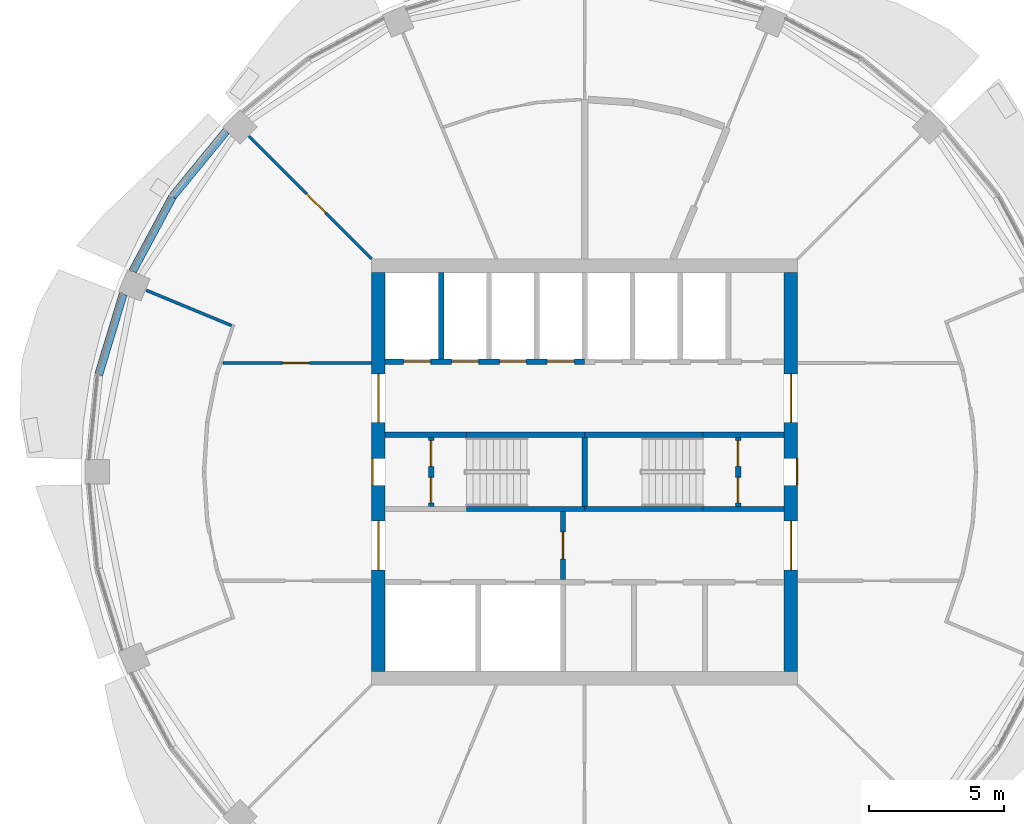
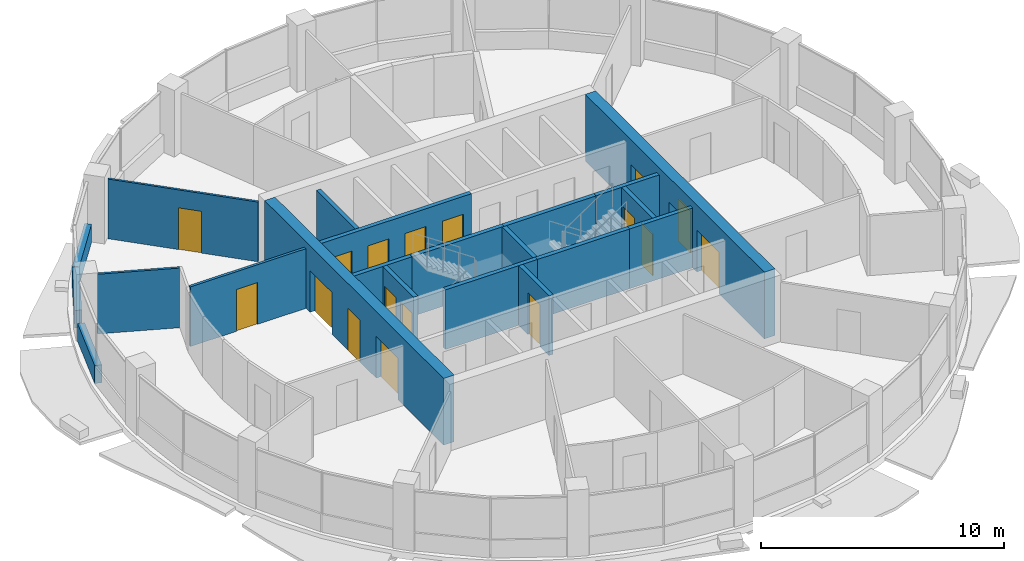
# One storey, part 9 of 15: 21 walls, 17 doors, 17 openings.
"""IFC4 building model written with IfcOpenShell, lengths in metres."""

from ifc_helpers import new_model, si_unit, direction, frame, frame_2d, origin, place, context, subcontext, project, spatial, rectangle, extrude, material, layer, layer_set, type_object, element, fill, save


model = new_model("IFC4")

# Units and contexts
model_context = context("Model", 3, precision=1e-05, world=origin(), true_north=direction((0.0, 1.0)))
body_context = subcontext(model_context, "Body", "Model", "MODEL_VIEW")
ifc_project = project(units=[si_unit("LENGTHUNIT", "METRE"), si_unit("AREAUNIT", "SQUARE_METRE"), si_unit("VOLUMEUNIT", "CUBIC_METRE"), si_unit("PLANEANGLEUNIT", "RADIAN"), si_unit("MASSUNIT", "GRAM", prefix="KILO")], contexts=[model_context])

# Site, building, storey
site_placement = place(None, origin())
site = spatial("IfcSite", under=ifc_project, at=site_placement, CompositionType="ELEMENT")
building_placement = place(site_placement, origin())
building = spatial("IfcBuilding", under=site, at=building_placement, Name="Polderwave Tower", CompositionType="ELEMENT")
storey_placement = place(building_placement, frame((0.0, 0.0, 177.60009765625)))
storey = spatial("IfcBuildingStorey", under=building, at=storey_placement, Name="L47", CompositionType="ELEMENT", Elevation=177.60009765625)

# Wall, openings, doors
ifc_material_1 = material(Name="Concrete C60/75", Category="concrete")
ifc_layer_1 = layer(ifc_material_1, 0.5)
ifc_layer_set_1 = layer_set([ifc_layer_1], Name="CORE WALL 500 C60/75")
wall_type_1 = type_object("IfcWallType", Name="CORE WALL 500 C60/75", PredefinedType="SHEAR", material=ifc_layer_set_1)
wall_1_placement = place(storey_placement, frame((-7.6240234375, -7.3740234375, 0.0), z_axis=(0.0, 0.0, 1.0), x_axis=(0.0, 1.0, 0.0)))
wall_1 = element("IfcWall", 1, at=wall_1_placement, inside=storey, type_object=wall_type_1, Name="ST-CORE-L47-W", PredefinedType="SHEAR", context=body_context, shape_type="SweptSolid", body=[
    extrude(rectangle(XDim=14.748046875, YDim=0.5, at=frame_2d((7.3740234375, 0.0))), origin(), (0.0, 0.0, 1.0), 3.349853515625),
])
opening_1_placement = place(wall_1_placement, frame((6.8740234375, 0.0, 0.0)))
opening_1 = element("IfcOpeningElement", 2, at=opening_1_placement, cuts=wall_1, Name="Opening L47-D19", PredefinedType="OPENING", context=body_context, shape_type="SweptSolid", body=[
    extrude(rectangle(XDim=1.0, YDim=2.10009765625, at=frame_2d((0.5, 1.050048828125))), frame((0.0, 0.260009765625, 0.0), z_axis=(0.0, -1.0, 0.0), x_axis=(1.0, 0.0, 0.0)), (0.0, 0.0, 1.0), 0.52001953125),
])
opening_2_placement = place(wall_1_placement, frame((3.74951171875, 0.0, 0.0)))
opening_2 = element("IfcOpeningElement", 3, at=opening_2_placement, cuts=wall_1, Name="Opening L47-D20", PredefinedType="OPENING", context=body_context, shape_type="SweptSolid", body=[
    extrude(rectangle(XDim=1.800048828125, YDim=2.10009765625, at=frame_2d((0.89990234375, 1.050048828125))), frame((0.0, 0.260009765625, 0.0), z_axis=(0.0, -1.0, 0.0), x_axis=(1.0, 0.0, 0.0)), (0.0, 0.0, 1.0), 0.52001953125),
])
opening_3_placement = place(wall_1_placement, frame((9.198486328125, 0.0, 0.0)))
opening_3 = element("IfcOpeningElement", 4, at=opening_3_placement, cuts=wall_1, Name="Opening L47-D21", PredefinedType="OPENING", context=body_context, shape_type="SweptSolid", body=[
    extrude(rectangle(XDim=1.800048828125, YDim=2.10009765625, at=frame_2d((0.89990234375, 1.050048828125))), frame((0.0, 0.260009765625, 0.0), z_axis=(0.0, -1.0, 0.0), x_axis=(1.0, 0.0, 0.0)), (0.0, 0.0, 1.0), 0.52001953125),
])
ifc_material_2 = material(Name="Steel fire door", Category="steel")
door_type_1 = type_object("IfcDoorType", Name="Lobby entry door pair 1800", OperationType="DOUBLE_DOOR_SINGLE_SWING", PredefinedType="DOOR", material=ifc_material_2)
door_1_placement = place(opening_2_placement, origin())
door_1 = element("IfcDoor", 5, at=door_1_placement, inside=storey, type_object=door_type_1, Name="Fire-fighting lobby entry door", OperationType="DOUBLE_DOOR_SINGLE_SWING", OverallHeight=2.10009765625, OverallWidth=1.800048828125, PredefinedType="DOOR", context=body_context, shape_type="SweptSolid", body=[
    extrude(rectangle(XDim=1.800048828125, YDim=2.10009765625, at=frame_2d((0.89990234375, 1.050048828125))), frame((0.0, 0.02490234375, 0.0), z_axis=(0.0, -1.0, 0.0), x_axis=(1.0, 0.0, 0.0)), (0.0, 0.0, 1.0), 0.050048828125),
])
fill(opening_2, door_1)
door_2_placement = place(opening_3_placement, origin())
door_2 = element("IfcDoor", 6, at=door_2_placement, inside=storey, type_object=door_type_1, Name="North lobby entry door", OperationType="DOUBLE_DOOR_SINGLE_SWING", OverallHeight=2.10009765625, OverallWidth=1.800048828125, PredefinedType="DOOR", context=body_context, shape_type="SweptSolid", body=[
    extrude(rectangle(XDim=1.800048828125, YDim=2.10009765625, at=frame_2d((0.89990234375, 1.050048828125))), frame((0.0, 0.02490234375, 0.0), z_axis=(0.0, -1.0, 0.0), x_axis=(1.0, 0.0, 0.0)), (0.0, 0.0, 1.0), 0.050048828125),
])
fill(opening_3, door_2)
door_type_2 = type_object("IfcDoorType", Name="Stair door 1000", OperationType="NOTDEFINED", PredefinedType="DOOR", material=ifc_material_2)
door_3_placement = place(opening_1_placement, origin())
door_3 = element("IfcDoor", 7, at=door_3_placement, inside=storey, type_object=door_type_2, Name="Stair A entry door", OperationType="SINGLE_SWING_RIGHT", OverallHeight=2.10009765625, OverallWidth=1.0, PredefinedType="DOOR", context=body_context, shape_type="SweptSolid", body=[
    extrude(rectangle(XDim=1.0, YDim=2.10009765625, at=frame_2d((0.5, 1.050048828125))), frame((0.0, 0.25, 0.0), z_axis=(0.0, -1.0, 0.0), x_axis=(1.0, 0.0, 0.0)), (0.0, 0.0, 1.0), 0.050048828125),
])
fill(opening_1, door_3)

wall_2_placement = place(storey_placement, frame((7.6240234375, -7.3740234375, 0.0), z_axis=(0.0, 0.0, 1.0), x_axis=(0.0, 1.0, 0.0)))
wall_2 = element("IfcWall", 8, at=wall_2_placement, inside=storey, type_object=wall_type_1, Name="ST-CORE-L47-E", PredefinedType="SHEAR", context=body_context, shape_type="SweptSolid", body=[
    extrude(rectangle(XDim=14.748046875, YDim=0.5, at=frame_2d((7.3740234375, 0.0))), origin(), (0.0, 0.0, 1.0), 3.349853515625),
])
opening_4_placement = place(wall_2_placement, frame((6.8740234375, 0.0, 0.0)))
opening_4 = element("IfcOpeningElement", 9, at=opening_4_placement, cuts=wall_2, Name="Opening L47-D22", PredefinedType="OPENING", context=body_context, shape_type="SweptSolid", body=[
    extrude(rectangle(XDim=1.0, YDim=2.10009765625, at=frame_2d((0.5, 1.050048828125))), frame((0.0, 0.260009765625, 0.0), z_axis=(0.0, -1.0, 0.0), x_axis=(1.0, 0.0, 0.0)), (0.0, 0.0, 1.0), 0.52001953125),
])
opening_5_placement = place(wall_2_placement, frame((3.74951171875, 0.0, 0.0)))
opening_5 = element("IfcOpeningElement", 10, at=opening_5_placement, cuts=wall_2, Name="Opening L47-D23", PredefinedType="OPENING", context=body_context, shape_type="SweptSolid", body=[
    extrude(rectangle(XDim=1.800048828125, YDim=2.10009765625, at=frame_2d((0.89990234375, 1.050048828125))), frame((0.0, 0.260009765625, 0.0), z_axis=(0.0, -1.0, 0.0), x_axis=(1.0, 0.0, 0.0)), (0.0, 0.0, 1.0), 0.52001953125),
])
opening_6_placement = place(wall_2_placement, frame((9.198486328125, 0.0, 0.0)))
opening_6 = element("IfcOpeningElement", 11, at=opening_6_placement, cuts=wall_2, Name="Opening L47-D24", PredefinedType="OPENING", context=body_context, shape_type="SweptSolid", body=[
    extrude(rectangle(XDim=1.800048828125, YDim=2.10009765625, at=frame_2d((0.89990234375, 1.050048828125))), frame((0.0, 0.260009765625, 0.0), z_axis=(0.0, -1.0, 0.0), x_axis=(1.0, 0.0, 0.0)), (0.0, 0.0, 1.0), 0.52001953125),
])
door_4_placement = place(opening_5_placement, frame((1.800048828125, 0.0, 0.0), z_axis=(0.0, 0.0, 1.0), x_axis=(-1.0, 0.0, 0.0)))
door_4 = element("IfcDoor", 12, at=door_4_placement, inside=storey, type_object=door_type_1, Name="South lobby entry door", OperationType="DOUBLE_DOOR_SINGLE_SWING", OverallHeight=2.10009765625, OverallWidth=1.800048828125, PredefinedType="DOOR", context=body_context, shape_type="SweptSolid", body=[
    extrude(rectangle(XDim=1.800048828125, YDim=2.10009765625, at=frame_2d((0.89990234375, 1.050048828125))), frame((0.0, 0.02490234375, 0.0), z_axis=(0.0, -1.0, 0.0), x_axis=(1.0, 0.0, 0.0)), (0.0, 0.0, 1.0), 0.050048828125),
])
fill(opening_5, door_4)
door_5_placement = place(opening_6_placement, frame((1.800048828125, 0.0, 0.0), z_axis=(0.0, 0.0, 1.0), x_axis=(-1.0, 0.0, 0.0)))
door_5 = element("IfcDoor", 13, at=door_5_placement, inside=storey, type_object=door_type_1, Name="North lobby entry door", OperationType="DOUBLE_DOOR_SINGLE_SWING", OverallHeight=2.10009765625, OverallWidth=1.800048828125, PredefinedType="DOOR", context=body_context, shape_type="SweptSolid", body=[
    extrude(rectangle(XDim=1.800048828125, YDim=2.10009765625, at=frame_2d((0.89990234375, 1.050048828125))), frame((0.0, 0.02490234375, 0.0), z_axis=(0.0, -1.0, 0.0), x_axis=(1.0, 0.0, 0.0)), (0.0, 0.0, 1.0), 0.050048828125),
])
fill(opening_6, door_5)
door_6_placement = place(opening_4_placement, frame((1.0, 0.0, 0.0), z_axis=(0.0, 0.0, 1.0), x_axis=(-1.0, 0.0, 0.0)))
door_6 = element("IfcDoor", 14, at=door_6_placement, inside=storey, type_object=door_type_2, Name="Stair B entry door", OperationType="SINGLE_SWING_LEFT", OverallHeight=2.10009765625, OverallWidth=1.0, PredefinedType="DOOR", context=body_context, shape_type="SweptSolid", body=[
    extrude(rectangle(XDim=1.0, YDim=2.10009765625, at=frame_2d((0.5, 1.050048828125))), frame((0.0, 0.25, 0.0), z_axis=(0.0, -1.0, 0.0), x_axis=(1.0, 0.0, 0.0)), (0.0, 0.0, 1.0), 0.050048828125),
])
fill(opening_4, door_6)

# Walls
ifc_material_3 = material(Name="Concrete C50/60 (board-marked)", Category="concrete")
ifc_layer_2 = layer(ifc_material_3, 0.300048828125)
ifc_layer_set_2 = layer_set([ifc_layer_2], Name="Concrete spandrel upstand C50/60")
wall_type_2 = type_object("IfcWallType", Name="Concrete spandrel upstand C50/60", PredefinedType="SOLIDWALL", material=ifc_layer_set_2)
wall_3_placement = place(storey_placement, frame((-13.24951171875, 12.594482421875, 0.0), z_axis=(0.0, 0.0, 1.0), x_axis=(-0.634267296653, -0.773113831461, 0.0)))
element("IfcWall", 15, at=wall_3_placement, inside=storey, type_object=wall_type_2, Name="Spandrel L47 7a", PredefinedType="SOLIDWALL", context=body_context, shape_type="SweptSolid", body=[
    extrude(rectangle(XDim=3.110595703125, YDim=0.300048828125, at=frame_2d((1.55517578125, 0.0))), origin(), (0.0, 0.0, 1.0), 0.89990234375),
])
for number, where, z_axis, x_axis, name in (
    (16, (-15.239013671875, 10.164794921875, 0.0), (0.0, 0.0, 1.0), (-0.471598312985, -0.881813490025, 0.0), "Spandrel L47 7b"),
    (17, (-17.060302734375, 6.564697265625, 0.0), (0.0, 0.0, 1.0), (-0.290421284339, -0.956898885778, 0.0), "Spandrel L47 8a"),
):
    element("IfcWall", number, at=place(storey_placement, frame(where, z_axis=z_axis, x_axis=x_axis)), inside=storey, type_object=wall_type_2, Name=name, PredefinedType="SOLIDWALL", context=body_context, shape_type="SweptSolid", body=[
        extrude(rectangle(XDim=3.1103515625, YDim=0.300048828125, at=frame_2d((1.55517578125, 0.0))), origin(), (0.0, 0.0, 1.0), 0.89990234375),
    ])

# Wall, opening, door
ifc_material_4 = material(Name="Gypsum board partition")
ifc_layer_3 = layer(ifc_material_4, 0.199951171875)
ifc_layer_set_3 = layer_set([ifc_layer_3], Name="Core room partition 200")
wall_type_3 = type_object("IfcWallType", Name="Core room partition 200", PredefinedType="PARTITIONING", material=ifc_layer_set_3)
wall_4_placement = place(storey_placement, frame((-0.800048828125, -3.97412109375, 0.0), z_axis=(0.0, 0.0, 1.0), x_axis=(0.0, 1.0, 0.0)))
wall_4 = element("IfcWall", 18, at=wall_4_placement, inside=storey, type_object=wall_type_3, Name="L47 fire-fighting lobby wall", PredefinedType="PARTITIONING", context=body_context, shape_type="SweptSolid", body=[
    extrude(rectangle(XDim=2.4990234375, YDim=0.199951171875, at=frame_2d((1.24951171875, 0.0))), origin(), (0.0, 0.0, 1.0), 3.0),
])
opening_7_placement = place(wall_4_placement, frame((0.74951171875, 0.0, 0.0)))
opening_7 = element("IfcOpeningElement", 19, at=opening_7_placement, cuts=wall_4, Name="Opening L47-D14", PredefinedType="OPENING", context=body_context, shape_type="SweptSolid", body=[
    extrude(rectangle(XDim=1.0, YDim=2.10009765625, at=frame_2d((0.5, 1.050048828125))), frame((0.0, 0.10986328125, 0.0), z_axis=(0.0, -1.0, 0.0), x_axis=(1.0, 0.0, 0.0)), (0.0, 0.0, 1.0), 0.219970703125),
])
door_type_3 = type_object("IfcDoorType", Name="Lobby fire door 1000", OperationType="NOTDEFINED", PredefinedType="DOOR", material=ifc_material_2)
door_7_placement = place(opening_7_placement, frame((1.0, 0.0, 0.0), z_axis=(0.0, 0.0, 1.0), x_axis=(-1.0, 0.0, 0.0)))
door_7 = element("IfcDoor", 20, at=door_7_placement, inside=storey, type_object=door_type_3, Name="Fire-fighting lobby door", OperationType="SINGLE_SWING_LEFT", OverallHeight=2.10009765625, OverallWidth=1.0, PredefinedType="DOOR", context=body_context, shape_type="SweptSolid", body=[
    extrude(rectangle(XDim=1.0, YDim=2.10009765625, at=frame_2d((0.5, 1.050048828125))), frame((0.0, 0.02490234375, 0.0), z_axis=(0.0, -1.0, 0.0), x_axis=(1.0, 0.0, 0.0)), (0.0, 0.0, 1.0), 0.050048828125),
])
fill(opening_7, door_7)

# Wall, openings, doors
wall_5_placement = place(storey_placement, frame((-5.674072265625, -1.27490234375, 0.0), z_axis=(0.0, 0.0, 1.0), x_axis=(0.0, 1.0, 0.0)))
wall_5 = element("IfcWall", 21, at=wall_5_placement, inside=storey, type_object=wall_type_3, Name="L47 smoke lobby wall A", PredefinedType="PARTITIONING", context=body_context, shape_type="SweptSolid", body=[
    extrude(rectangle(XDim=2.5498046875, YDim=0.199951171875, at=frame_2d((1.27490234375, 0.0))), origin(), (0.0, 0.0, 1.0), 3.0),
])
opening_8_placement = place(wall_5_placement, frame((0.125, 0.0, 0.0)))
opening_8 = element("IfcOpeningElement", 22, at=opening_8_placement, cuts=wall_5, Name="Opening L47-D10", PredefinedType="OPENING", context=body_context, shape_type="SweptSolid", body=[
    extrude(rectangle(XDim=0.949951171875, YDim=2.10009765625, at=frame_2d((0.47509765625, 1.050048828125))), frame((0.0, 0.10986328125, 0.0), z_axis=(0.0, -1.0, 0.0), x_axis=(1.0, 0.0, 0.0)), (0.0, 0.0, 1.0), 0.219970703125),
])
opening_9_placement = place(wall_5_placement, frame((1.47509765625, 0.0, 0.0)))
opening_9 = element("IfcOpeningElement", 23, at=opening_9_placement, cuts=wall_5, Name="Opening L47-D11", PredefinedType="OPENING", context=body_context, shape_type="SweptSolid", body=[
    extrude(rectangle(XDim=0.949951171875, YDim=2.10009765625, at=frame_2d((0.47509765625, 1.050048828125))), frame((0.0, 0.10986328125, 0.0), z_axis=(0.0, -1.0, 0.0), x_axis=(1.0, 0.0, 0.0)), (0.0, 0.0, 1.0), 0.219970703125),
])
door_type_4 = type_object("IfcDoorType", Name="Smoke lobby door 950", OperationType="NOTDEFINED", PredefinedType="DOOR", material=ifc_material_2)
door_8_placement = place(opening_8_placement, origin())
door_8 = element("IfcDoor", 24, at=door_8_placement, inside=storey, type_object=door_type_4, Name="Stair A smoke lobby inner door", OperationType="SINGLE_SWING_LEFT", OverallHeight=2.10009765625, OverallWidth=0.949951171875, PredefinedType="DOOR", context=body_context, shape_type="SweptSolid", body=[
    extrude(rectangle(XDim=0.949951171875, YDim=2.10009765625, at=frame_2d((0.47509765625, 1.050048828125))), frame((0.0, 0.02490234375, 0.0), z_axis=(0.0, -1.0, 0.0), x_axis=(1.0, 0.0, 0.0)), (0.0, 0.0, 1.0), 0.050048828125),
])
fill(opening_8, door_8)
door_9_placement = place(opening_9_placement, origin())
door_9 = element("IfcDoor", 25, at=door_9_placement, inside=storey, type_object=door_type_4, Name="Stair A smoke lobby inner door", OperationType="SINGLE_SWING_RIGHT", OverallHeight=2.10009765625, OverallWidth=0.949951171875, PredefinedType="DOOR", context=body_context, shape_type="SweptSolid", body=[
    extrude(rectangle(XDim=0.949951171875, YDim=2.10009765625, at=frame_2d((0.47509765625, 1.050048828125))), frame((0.0, 0.02490234375, 0.0), z_axis=(0.0, -1.0, 0.0), x_axis=(1.0, 0.0, 0.0)), (0.0, 0.0, 1.0), 0.050048828125),
])
fill(opening_9, door_9)

wall_6_placement = place(storey_placement, frame((5.674072265625, -1.27490234375, 0.0), z_axis=(0.0, 0.0, 1.0), x_axis=(0.0, 1.0, 0.0)))
wall_6 = element("IfcWall", 26, at=wall_6_placement, inside=storey, type_object=wall_type_3, Name="L47 smoke lobby wall B", PredefinedType="PARTITIONING", context=body_context, shape_type="SweptSolid", body=[
    extrude(rectangle(XDim=2.5498046875, YDim=0.199951171875, at=frame_2d((1.27490234375, 0.0))), origin(), (0.0, 0.0, 1.0), 3.0),
])
opening_10_placement = place(wall_6_placement, frame((0.125, 0.0, 0.0)))
opening_10 = element("IfcOpeningElement", 27, at=opening_10_placement, cuts=wall_6, Name="Opening L47-D12", PredefinedType="OPENING", context=body_context, shape_type="SweptSolid", body=[
    extrude(rectangle(XDim=0.949951171875, YDim=2.10009765625, at=frame_2d((0.47509765625, 1.050048828125))), frame((0.0, 0.10986328125, 0.0), z_axis=(0.0, -1.0, 0.0), x_axis=(1.0, 0.0, 0.0)), (0.0, 0.0, 1.0), 0.219970703125),
])
opening_11_placement = place(wall_6_placement, frame((1.47509765625, 0.0, 0.0)))
opening_11 = element("IfcOpeningElement", 28, at=opening_11_placement, cuts=wall_6, Name="Opening L47-D13", PredefinedType="OPENING", context=body_context, shape_type="SweptSolid", body=[
    extrude(rectangle(XDim=0.949951171875, YDim=2.10009765625, at=frame_2d((0.47509765625, 1.050048828125))), frame((0.0, 0.10986328125, 0.0), z_axis=(0.0, -1.0, 0.0), x_axis=(1.0, 0.0, 0.0)), (0.0, 0.0, 1.0), 0.219970703125),
])
door_10_placement = place(opening_10_placement, frame((0.949951171875, 0.0, 0.0), z_axis=(0.0, 0.0, 1.0), x_axis=(-1.0, 0.0, 0.0)))
door_10 = element("IfcDoor", 29, at=door_10_placement, inside=storey, type_object=door_type_4, Name="Stair B smoke lobby inner door", OperationType="SINGLE_SWING_RIGHT", OverallHeight=2.10009765625, OverallWidth=0.949951171875, PredefinedType="DOOR", context=body_context, shape_type="SweptSolid", body=[
    extrude(rectangle(XDim=0.949951171875, YDim=2.10009765625, at=frame_2d((0.47509765625, 1.050048828125))), frame((0.0, 0.02490234375, 0.0), z_axis=(0.0, -1.0, 0.0), x_axis=(1.0, 0.0, 0.0)), (0.0, 0.0, 1.0), 0.050048828125),
])
fill(opening_10, door_10)
door_11_placement = place(opening_11_placement, frame((0.949951171875, 0.0, 0.0), z_axis=(0.0, 0.0, 1.0), x_axis=(-1.0, 0.0, 0.0)))
door_11 = element("IfcDoor", 30, at=door_11_placement, inside=storey, type_object=door_type_4, Name="Stair B smoke lobby inner door", OperationType="SINGLE_SWING_LEFT", OverallHeight=2.10009765625, OverallWidth=0.949951171875, PredefinedType="DOOR", context=body_context, shape_type="SweptSolid", body=[
    extrude(rectangle(XDim=0.949951171875, YDim=2.10009765625, at=frame_2d((0.47509765625, 1.050048828125))), frame((0.0, 0.02490234375, 0.0), z_axis=(0.0, -1.0, 0.0), x_axis=(1.0, 0.0, 0.0)), (0.0, 0.0, 1.0), 0.050048828125),
])
fill(opening_11, door_11)

ifc_material_5 = material(Name="Concrete C50/60", Category="concrete")
ifc_layer_4 = layer(ifc_material_5, 0.199951171875)
ifc_layer_set_4 = layer_set([ifc_layer_4], Name="Core web wall 200")
wall_type_4 = type_object("IfcWallType", Name="Core web wall 200", PredefinedType="SHEAR", material=ifc_layer_set_4)
wall_7_placement = place(storey_placement, frame((-7.3740234375, 4.073974609375, 0.0), z_axis=(0.0, 0.0, 1.0), x_axis=(1.0, 0.0, 0.0)))
wall_7 = element("IfcWall", 31, at=wall_7_placement, inside=storey, type_object=wall_type_4, Name="L47 north front wall 1", PredefinedType="SHEAR", context=body_context, shape_type="SweptSolid", body=[
    extrude(rectangle(XDim=7.3740234375, YDim=0.199951171875, at=frame_2d((3.68701171875, 0.0))), origin(), (0.0, 0.0, 1.0), 3.0),
])
opening_12_placement = place(wall_7_placement, frame((0.68408203125, 0.0, 0.0)))
opening_12 = element("IfcOpeningElement", 32, at=opening_12_placement, cuts=wall_7, Name="Opening L47-D03", PredefinedType="OPENING", context=body_context, shape_type="SweptSolid", body=[
    extrude(rectangle(XDim=1.0, YDim=2.10009765625, at=frame_2d((0.5, 1.050048828125))), frame((0.0, 0.10986328125, 0.0), z_axis=(0.0, -1.0, 0.0), x_axis=(1.0, 0.0, 0.0)), (0.0, 0.0, 1.0), 0.219970703125),
])
opening_13_placement = place(wall_7_placement, frame((2.45263671875, 0.0, 0.0)))
opening_13 = element("IfcOpeningElement", 33, at=opening_13_placement, cuts=wall_7, Name="Opening L47-D04", PredefinedType="OPENING", context=body_context, shape_type="SweptSolid", body=[
    extrude(rectangle(XDim=1.0, YDim=2.10009765625, at=frame_2d((0.5, 1.050048828125))), frame((0.0, 0.10986328125, 0.0), z_axis=(0.0, -1.0, 0.0), x_axis=(1.0, 0.0, 0.0)), (0.0, 0.0, 1.0), 0.219970703125),
])
opening_14_placement = place(wall_7_placement, frame((4.22119140625, 0.0, 0.0)))
opening_14 = element("IfcOpeningElement", 34, at=opening_14_placement, cuts=wall_7, Name="Opening L47-D05", PredefinedType="OPENING", context=body_context, shape_type="SweptSolid", body=[
    extrude(rectangle(XDim=1.0, YDim=2.10009765625, at=frame_2d((0.5, 1.050048828125))), frame((0.0, 0.10986328125, 0.0), z_axis=(0.0, -1.0, 0.0), x_axis=(1.0, 0.0, 0.0)), (0.0, 0.0, 1.0), 0.219970703125),
])
opening_15_placement = place(wall_7_placement, frame((5.98974609375, 0.0, 0.0)))
opening_15 = element("IfcOpeningElement", 35, at=opening_15_placement, cuts=wall_7, Name="Opening L47-D06", PredefinedType="OPENING", context=body_context, shape_type="SweptSolid", body=[
    extrude(rectangle(XDim=1.0, YDim=2.10009765625, at=frame_2d((0.5, 1.050048828125))), frame((0.0, 0.10986328125, 0.0), z_axis=(0.0, -1.0, 0.0), x_axis=(1.0, 0.0, 0.0)), (0.0, 0.0, 1.0), 0.219970703125),
])
ifc_material_6 = material(Name="Stainless steel", Category="steel")
door_type_5 = type_object("IfcDoorType", Name="Lift landing door 1000", OperationType="DOUBLE_DOOR_SLIDING", PredefinedType="DOOR", material=ifc_material_6)
door_12_placement = place(opening_12_placement, frame((1.0, 0.0, 0.0), z_axis=(0.0, 0.0, 1.0), x_axis=(-1.0, 0.0, 0.0)))
door_12 = element("IfcDoor", 36, at=door_12_placement, inside=storey, type_object=door_type_5, Name="Lift HL1 landing door", OperationType="DOUBLE_DOOR_SLIDING", OverallHeight=2.10009765625, OverallWidth=1.0, PredefinedType="DOOR", context=body_context, shape_type="SweptSolid", body=[
    extrude(rectangle(XDim=1.0, YDim=2.10009765625, at=frame_2d((0.5, 1.050048828125))), frame((0.0, 0.02490234375, 0.0), z_axis=(0.0, -1.0, 0.0), x_axis=(1.0, 0.0, 0.0)), (0.0, 0.0, 1.0), 0.050048828125),
])
fill(opening_12, door_12)
door_13_placement = place(opening_13_placement, frame((1.0, 0.0, 0.0), z_axis=(0.0, 0.0, 1.0), x_axis=(-1.0, 0.0, 0.0)))
door_13 = element("IfcDoor", 37, at=door_13_placement, inside=storey, type_object=door_type_5, Name="Lift HL2 landing door", OperationType="DOUBLE_DOOR_SLIDING", OverallHeight=2.10009765625, OverallWidth=1.0, PredefinedType="DOOR", context=body_context, shape_type="SweptSolid", body=[
    extrude(rectangle(XDim=1.0, YDim=2.10009765625, at=frame_2d((0.5, 1.050048828125))), frame((0.0, 0.02490234375, 0.0), z_axis=(0.0, -1.0, 0.0), x_axis=(1.0, 0.0, 0.0)), (0.0, 0.0, 1.0), 0.050048828125),
])
fill(opening_13, door_13)
door_14_placement = place(opening_14_placement, frame((1.0, 0.0, 0.0), z_axis=(0.0, 0.0, 1.0), x_axis=(-1.0, 0.0, 0.0)))
door_14 = element("IfcDoor", 38, at=door_14_placement, inside=storey, type_object=door_type_5, Name="Lift HL3 landing door", OperationType="DOUBLE_DOOR_SLIDING", OverallHeight=2.10009765625, OverallWidth=1.0, PredefinedType="DOOR", context=body_context, shape_type="SweptSolid", body=[
    extrude(rectangle(XDim=1.0, YDim=2.10009765625, at=frame_2d((0.5, 1.050048828125))), frame((0.0, 0.02490234375, 0.0), z_axis=(0.0, -1.0, 0.0), x_axis=(1.0, 0.0, 0.0)), (0.0, 0.0, 1.0), 0.050048828125),
])
fill(opening_14, door_14)
door_15_placement = place(opening_15_placement, frame((1.0, 0.0, 0.0), z_axis=(0.0, 0.0, 1.0), x_axis=(-1.0, 0.0, 0.0)))
door_15 = element("IfcDoor", 39, at=door_15_placement, inside=storey, type_object=door_type_5, Name="Lift HL4 landing door", OperationType="DOUBLE_DOOR_SLIDING", OverallHeight=2.10009765625, OverallWidth=1.0, PredefinedType="DOOR", context=body_context, shape_type="SweptSolid", body=[
    extrude(rectangle(XDim=1.0, YDim=2.10009765625, at=frame_2d((0.5, 1.050048828125))), frame((0.0, 0.02490234375, 0.0), z_axis=(0.0, -1.0, 0.0), x_axis=(1.0, 0.0, 0.0)), (0.0, 0.0, 1.0), 0.050048828125),
])
fill(opening_15, door_15)

# Walls
for number, where, z_axis, x_axis, name in (
    (40, (-4.3740234375, -1.375, 0.0), (0.0, 0.0, 1.0), (1.0, 0.0, 0.0), "L47 south stair wall 2"),
    (41, (0.0, -1.375, 0.0), (0.0, 0.0, 1.0), (1.0, 0.0, 0.0), "L47 south stair wall 3"),
):
    element("IfcWall", number, at=place(storey_placement, frame(where, z_axis=z_axis, x_axis=x_axis)), inside=storey, type_object=wall_type_4, Name=name, PredefinedType="SHEAR", context=body_context, shape_type="SweptSolid", body=[
        extrude(rectangle(XDim=4.3740234375, YDim=0.199951171875, at=frame_2d((2.18701171875, 0.0))), origin(), (0.0, 0.0, 1.0), 3.0),
    ])
for number, where, z_axis, x_axis, name in (
    (42, (4.3740234375, -1.375, 0.0), (0.0, 0.0, 1.0), (1.0, 0.0, 0.0), "L47 south stair wall 4"),
    (43, (-7.3740234375, 1.375, 0.0), (0.0, 0.0, 1.0), (1.0, 0.0, 0.0), "L47 north stair wall 1"),
):
    element("IfcWall", number, at=place(storey_placement, frame(where, z_axis=z_axis, x_axis=x_axis)), inside=storey, type_object=wall_type_4, Name=name, PredefinedType="SHEAR", context=body_context, shape_type="SweptSolid", body=[
        extrude(rectangle(XDim=3.0, YDim=0.199951171875, at=frame_2d((1.5, 0.0))), origin(), (0.0, 0.0, 1.0), 3.0),
    ])
for number, where, z_axis, x_axis, name in (
    (44, (-4.3740234375, 1.375, 0.0), (0.0, 0.0, 1.0), (1.0, 0.0, 0.0), "L47 north stair wall 2"),
    (45, (0.0, 1.375, 0.0), (0.0, 0.0, 1.0), (1.0, 0.0, 0.0), "L47 north stair wall 3"),
):
    element("IfcWall", number, at=place(storey_placement, frame(where, z_axis=z_axis, x_axis=x_axis)), inside=storey, type_object=wall_type_4, Name=name, PredefinedType="SHEAR", context=body_context, shape_type="SweptSolid", body=[
        extrude(rectangle(XDim=4.3740234375, YDim=0.199951171875, at=frame_2d((2.18701171875, 0.0))), origin(), (0.0, 0.0, 1.0), 3.0),
    ])
wall_8_placement = place(storey_placement, frame((4.3740234375, 1.375, 0.0), z_axis=(0.0, 0.0, 1.0), x_axis=(1.0, 0.0, 0.0)))
element("IfcWall", 46, at=wall_8_placement, inside=storey, type_object=wall_type_4, Name="L47 north stair wall 4", PredefinedType="SHEAR", context=body_context, shape_type="SweptSolid", body=[
    extrude(rectangle(XDim=3.0, YDim=0.199951171875, at=frame_2d((1.5, 0.0))), origin(), (0.0, 0.0, 1.0), 3.0),
])
wall_9_placement = place(storey_placement, frame((0.0, -1.27490234375, 0.0), z_axis=(0.0, 0.0, 1.0), x_axis=(0.0, 1.0, 0.0)))
element("IfcWall", 47, at=wall_9_placement, inside=storey, type_object=wall_type_4, Name="L47 wall between the stairs", PredefinedType="SHEAR", context=body_context, shape_type="SweptSolid", body=[
    extrude(rectangle(XDim=2.5498046875, YDim=0.199951171875, at=frame_2d((1.27490234375, 0.0))), origin(), (0.0, 0.0, 1.0), 3.0),
])

# Wall, opening, door
ifc_material_7 = material(Name="Fire-resisting board on steel studs", Category="steel")
ifc_layer_5 = layer(ifc_material_7, 0.125)
ifc_layer_set_5 = layer_set([ifc_layer_5], Name="Corridor wall 125 mm EI 60")
wall_type_5 = type_object("IfcWallType", Name="Corridor wall 125 mm EI 60", PredefinedType="PARTITIONING", material=ifc_layer_set_5)
wall_10_placement = place(storey_placement, frame((-13.373291015625, 4.0244140625, 0.0), z_axis=(0.0, 0.0, 1.0), x_axis=(1.0, 0.0, 0.0)))
wall_10 = element("IfcWall", 48, at=wall_10_placement, inside=storey, type_object=wall_type_5, Name="IN-L47-W009", PredefinedType="PARTITIONING", context=body_context, shape_type="SweptSolid", body=[
    extrude(rectangle(XDim=5.499267578125, YDim=0.125, at=frame_2d((2.74951171875, 0.0))), origin(), (0.0, 0.0, 1.0), 3.0),
])
opening_16_placement = place(wall_10_placement, frame((2.199951171875, 0.0, 0.0)))
opening_16 = element("IfcOpeningElement", 49, at=opening_16_placement, cuts=wall_10, Name="Opening L47-D53", PredefinedType="OPENING", context=body_context, shape_type="SweptSolid", body=[
    extrude(rectangle(XDim=1.0, YDim=2.10009765625, at=frame_2d((0.5, 1.050048828125))), frame((0.0, 0.072509765625, 0.0), z_axis=(0.0, -1.0, 0.0), x_axis=(1.0, 0.0, 0.0)), (0.0, 0.0, 1.0), 0.14501953125),
])
ifc_material_8 = material(Name="Timber fire door leaf", Category="wood")
door_type_6 = type_object("IfcDoorType", Name="Fire door FD30S 1000 x 2100", OperationType="NOTDEFINED", PredefinedType="DOOR", material=ifc_material_8)
door_16_placement = place(opening_16_placement, origin())
door_16 = element("IfcDoor", 50, at=door_16_placement, inside=storey, type_object=door_type_6, Name="Door L47-D53", OperationType="SINGLE_SWING_LEFT", OverallHeight=2.10009765625, OverallWidth=1.0, PredefinedType="DOOR", context=body_context, shape_type="SweptSolid", body=[
    extrude(rectangle(XDim=1.0, YDim=2.10009765625, at=frame_2d((0.5, 1.050048828125))), frame((0.0, 0.02490234375, 0.0), z_axis=(0.0, -1.0, 0.0), x_axis=(1.0, 0.0, 0.0)), (0.0, 0.0, 1.0), 0.050048828125),
])
fill(opening_16, door_16)

ifc_material_9 = material(Name="Plasterboard on steel studs", Category="steel")
ifc_layer_6 = layer(ifc_material_9, 0.10009765625)
ifc_layer_set_6 = layer_set([ifc_layer_6], Name="Partition 100 mm plasterboard on steel studs")
wall_type_6 = type_object("IfcWallType", Name="Partition 100 mm plasterboard on steel studs", PredefinedType="PARTITIONING", material=ifc_layer_set_6)
wall_11_placement = place(storey_placement, frame((-12.402587890625, 12.402587890625, 0.0), z_axis=(0.0, 0.0, 1.0), x_axis=(0.707106781187, -0.707106781187, 0.0)))
wall_11 = element("IfcWall", 51, at=wall_11_placement, inside=storey, type_object=wall_type_6, Name="IN-L47-W034", PredefinedType="PARTITIONING", context=body_context, shape_type="SweptSolid", body=[
    extrude(rectangle(XDim=6.404296875, YDim=0.10009765625, at=frame_2d((3.2021484375, 0.0))), origin(), (0.0, 0.0, 1.0), 3.0),
])
opening_17_placement = place(wall_11_placement, frame((3.0, 0.0, 0.0)))
opening_17 = element("IfcOpeningElement", 52, at=opening_17_placement, cuts=wall_11, Name="Opening L47-D61", PredefinedType="OPENING", context=body_context, shape_type="SweptSolid", body=[
    extrude(rectangle(XDim=1.0, YDim=2.10009765625, at=frame_2d((0.5, 1.050048828125))), frame((0.0, 0.06005859375, 0.0), z_axis=(0.0, -1.0, 0.0), x_axis=(1.0, 0.0, 0.0)), (0.0, 0.0, 1.0), 0.1201171875),
])
ifc_material_10 = material(Name="Timber veneer door leaf", Category="wood")
door_type_7 = type_object("IfcDoorType", Name="Single door 1000 x 2100", OperationType="NOTDEFINED", PredefinedType="DOOR", material=ifc_material_10)
door_17_placement = place(opening_17_placement, origin())
door_17 = element("IfcDoor", 53, at=door_17_placement, inside=storey, type_object=door_type_7, Name="Door L47-D61", OperationType="SINGLE_SWING_RIGHT", OverallHeight=2.10009765625, OverallWidth=1.0, PredefinedType="DOOR", context=body_context, shape_type="SweptSolid", body=[
    extrude(rectangle(XDim=1.0, YDim=2.10009765625, at=frame_2d((0.5, 1.050048828125))), frame((0.0, 0.02490234375, 0.0), z_axis=(0.0, -1.0, 0.0), x_axis=(1.0, 0.0, 0.0)), (0.0, 0.0, 1.0), 0.050048828125),
])
fill(opening_17, door_17)

# Walls
ifc_material_11 = material(Name="Acoustic double plasterboard on steel studs", Category="steel")
ifc_layer_7 = layer(ifc_material_11, 0.110107421875)
ifc_layer_set_7 = layer_set([ifc_layer_7], Name="Partition 110 mm acoustic double board")
wall_type_7 = type_object("IfcWallType", Name="Partition 110 mm acoustic double board", PredefinedType="PARTITIONING", material=ifc_layer_set_7)
wall_12_placement = place(storey_placement, frame((-13.05322265625, 5.406982421875, 0.0), z_axis=(0.0, 0.0, 1.0), x_axis=(-0.923881629558, 0.382678369606, 0.0)))
element("IfcWall", 54, at=wall_12_placement, inside=storey, type_object=wall_type_7, Name="IN-L47-W036", PredefinedType="PARTITIONING", context=body_context, shape_type="SweptSolid", body=[
    extrude(rectangle(XDim=3.411376953125, YDim=0.110107421875, at=frame_2d((1.70556640625, 0.0))), origin(), (0.0, 0.0, 1.0), 3.0),
])
ifc_material_12 = material(Name="Gypsum shaft wall system")
ifc_layer_8 = layer(ifc_material_12, 0.199951171875)
ifc_layer_set_8 = layer_set([ifc_layer_8], Name="Shaft wall 200")
wall_type_8 = type_object("IfcWallType", Name="Shaft wall 200", PredefinedType="PARTITIONING", material=ifc_layer_set_8)
wall_13_placement = place(storey_placement, frame((-5.305419921875, 4.174072265625, 0.0), z_axis=(0.0, 0.0, 1.0), x_axis=(0.0, 1.0, 0.0)))
element("IfcWall", 55, at=wall_13_placement, inside=storey, type_object=wall_type_8, Name="L47 lift shaft wall N1", PredefinedType="PARTITIONING", context=body_context, shape_type="SweptSolid", body=[
    extrude(rectangle(XDim=3.199951171875, YDim=0.199951171875, at=frame_2d((1.60009765625, 0.0))), origin(), (0.0, 0.0, 1.0), 3.0),
])

save(model, "model.ifc")
